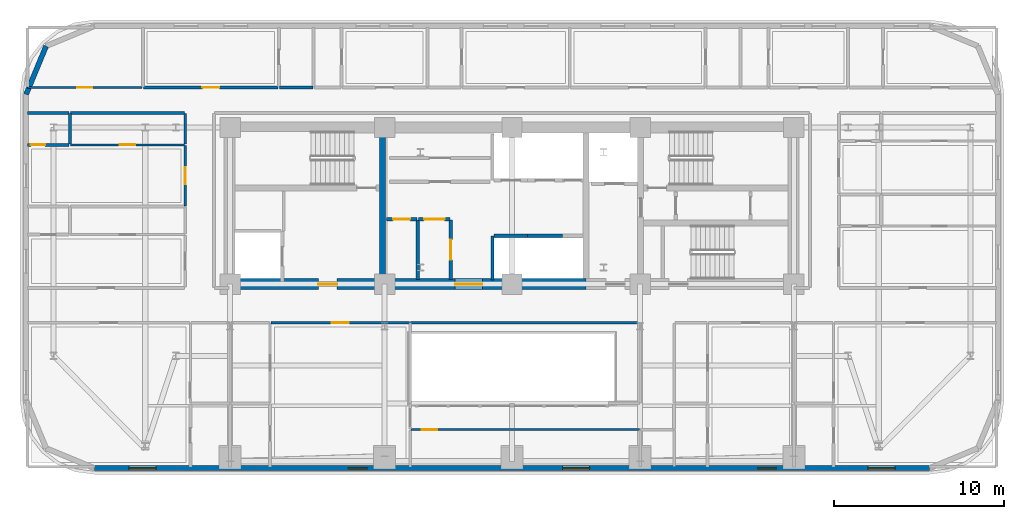
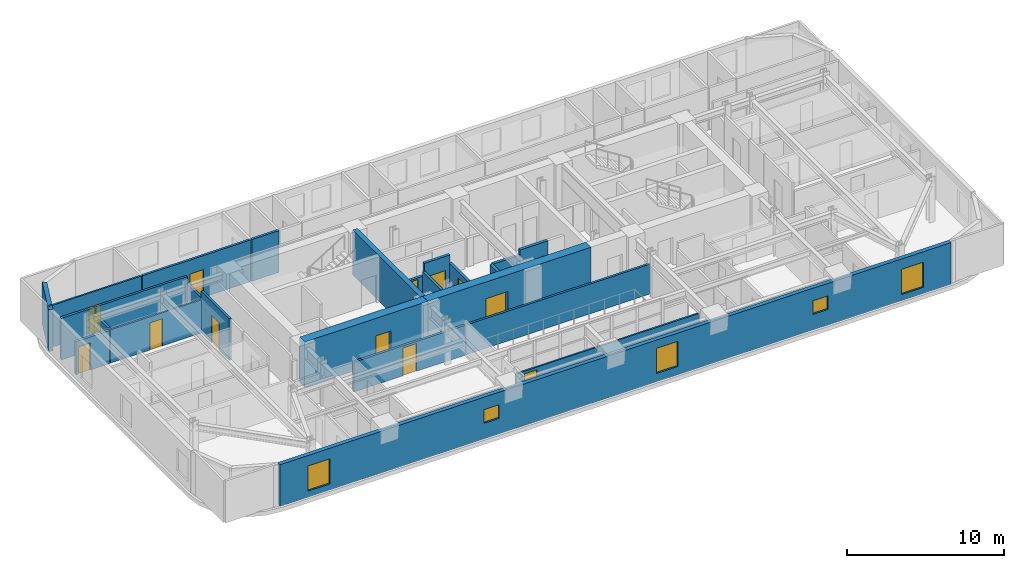
# One storey, part 9 of 16: 25 walls, 12 doors, 5 windows, 17 openings.
"""IFC4 building model written with IfcOpenShell, lengths in metres."""

from ifc_helpers import new_model, si_unit, direction, frame, frame_2d, origin, place, context, subcontext, project, spatial, rectangle, extrude, material, layer, layer_set, type_object, element, fill, save


model = new_model("IFC4")

# Units and contexts
model_context = context("Model", 3, precision=1e-05, world=origin(), true_north=direction((0.0, 1.0)))
body_context = subcontext(model_context, "Body", "Model", "MODEL_VIEW")
ifc_project = project(units=[si_unit("LENGTHUNIT", "METRE"), si_unit("AREAUNIT", "SQUARE_METRE"), si_unit("VOLUMEUNIT", "CUBIC_METRE"), si_unit("PLANEANGLEUNIT", "RADIAN"), si_unit("MASSUNIT", "GRAM", prefix="KILO")], contexts=[model_context])

# Site, building, storey
site_placement = place(None, origin())
site = spatial("IfcSite", under=ifc_project, at=site_placement, CompositionType="ELEMENT")
building_placement = place(site_placement, origin())
building = spatial("IfcBuilding", under=site, at=building_placement, Name="Zarnavel Station Tower", CompositionType="ELEMENT")
storey_placement = place(building_placement, frame((0.0, 0.0, 94.300048828125)))
storey = spatial("IfcBuildingStorey", under=building, at=storey_placement, Name="L25", CompositionType="ELEMENT", Elevation=94.300048828125)

# Wall
ifc_material_1 = material(Name="Concrete C50/60", Category="concrete")
ifc_layer_1 = layer(ifc_material_1, 0.35009765625)
ifc_layer_set_1 = layer_set([ifc_layer_1], Name="CW_350")
wall_type_1 = type_object("IfcWallType", Name="CW_350", PredefinedType="SHEAR", material=ifc_layer_set_1)
wall_1_placement = place(storey_placement, frame((21.179931640625, 28.14501953125, 0.0), z_axis=(0.0, 0.0, 1.0), x_axis=(0.0, 1.0, 0.0)))
element("IfcWall", 1, at=wall_1_placement, inside=storey, type_object=wall_type_1, Name="L25 Rear Core Shear Wall DIV-W", PredefinedType="SHEAR", context=body_context, shape_type="SweptSolid", body=[
    extrude(rectangle(XDim=8.580078125, YDim=0.35009765625, at=frame_2d((4.2900390625, 0.0))), origin(), (0.0, 0.0, 1.0), 3.5),
])

# Wall, opening, door
ifc_material_2 = material(Name="Concrete C60/75", Category="concrete")
ifc_layer_2 = layer(ifc_material_2, 0.64990234375)
ifc_layer_set_2 = layer_set([ifc_layer_2], Name="CW_650")
wall_type_2 = type_object("IfcWallType", Name="CW_650", PredefinedType="SHEAR", material=ifc_layer_set_2)
wall_2_placement = place(storey_placement, frame((21.179931640625, 27.820068359375, 0.0), z_axis=(0.0, 0.0, 1.0), x_axis=(-1.0, 0.0, 0.0)))
wall_2 = element("IfcWall", 2, at=wall_2_placement, inside=storey, type_object=wall_type_2, Name="L25 Rear Core Shear Wall S-W", PredefinedType="SHEAR", context=body_context, shape_type="SweptSolid", body=[
    extrude(rectangle(XDim=9.030029296875, YDim=0.64990234375, at=frame_2d((4.51513671875, 0.0))), origin(), (0.0, 0.0, 1.0), 3.5),
])
opening_1_placement = place(wall_2_placement, frame((2.679931640625, 0.0, 0.0)))
opening_1 = element("IfcOpeningElement", 3, at=opening_1_placement, cuts=wall_2, Name="Opening FD01", PredefinedType="OPENING", context=body_context, shape_type="SweptSolid", body=[
    extrude(rectangle(XDim=1.10009765625, YDim=2.14990234375, at=frame_2d((0.550048828125, 1.074951171875))), frame((0.0, 0.3349609375, 0.0), z_axis=(0.0, -1.0, 0.0), x_axis=(1.0, 0.0, 0.0)), (0.0, 0.0, 1.0), 0.669921875),
])
ifc_material_3 = material(Name="Painted Galvanised Steel and Hardwood Leaf", Category="steel")
door_type_1 = type_object("IfcDoorType", Name="ID_STAIR_1100", OperationType="NOTDEFINED", PredefinedType="DOOR", material=ifc_material_3)
door_1_placement = place(opening_1_placement, origin())
door_1 = element("IfcDoor", 4, at=door_1_placement, inside=storey, type_object=door_type_1, Name="L25 West Firefighting Lobby Door", OperationType="SINGLE_SWING_RIGHT", OverallHeight=2.14990234375, OverallWidth=1.10009765625, PredefinedType="DOOR", context=body_context, shape_type="SweptSolid", body=[
    extrude(rectangle(XDim=1.10009765625, YDim=2.14990234375, at=frame_2d((0.550048828125, 1.074951171875))), frame((0.0, 0.02490234375, 0.0), z_axis=(0.0, -1.0, 0.0), x_axis=(1.0, 0.0, 0.0)), (0.0, 0.0, 1.0), 0.050048828125),
])
fill(opening_1, door_1)

wall_3_placement = place(storey_placement, frame((33.14990234375, 27.820068359375, 0.0), z_axis=(0.0, 0.0, 1.0), x_axis=(-1.0, 0.0, 0.0)))
wall_3 = element("IfcWall", 5, at=wall_3_placement, inside=storey, type_object=wall_type_2, Name="L25 Rear Core Shear Wall S-M", PredefinedType="SHEAR", context=body_context, shape_type="SweptSolid", body=[
    extrude(rectangle(XDim=11.969970703125, YDim=0.64990234375, at=frame_2d((5.98486328125, 0.0))), origin(), (0.0, 0.0, 1.0), 3.5),
])
opening_2_placement = place(wall_3_placement, frame((6.10009765625, 0.0, 0.0)))
opening_2 = element("IfcOpeningElement", 6, at=opening_2_placement, cuts=wall_3, Name="Opening ID03", PredefinedType="OPENING", context=body_context, shape_type="SweptSolid", body=[
    extrude(rectangle(XDim=1.60009765625, YDim=2.199951171875, at=frame_2d((0.800048828125, 1.10009765625))), frame((0.0, 0.3349609375, 0.0), z_axis=(0.0, -1.0, 0.0), x_axis=(1.0, 0.0, 0.0)), (0.0, 0.0, 1.0), 0.669921875),
])
ifc_material_4 = material(Name="Painted Galvanised Steel and Hardwood Leaf", Category="steel")
door_type_2 = type_object("IfcDoorType", Name="ID_PUBLIC_1600", OperationType="DOUBLE_DOOR_SINGLE_SWING", PredefinedType="DOOR", material=ifc_material_4)
door_2_placement = place(opening_2_placement, origin())
door_2 = element("IfcDoor", 7, at=door_2_placement, inside=storey, type_object=door_type_2, Name="L25 Passenger Lift Lobby Double Door", OperationType="SINGLE_SWING_LEFT", OverallHeight=2.199951171875, OverallWidth=1.60009765625, PredefinedType="DOOR", context=body_context, shape_type="SweptSolid", body=[
    extrude(rectangle(XDim=1.60009765625, YDim=2.199951171875, at=frame_2d((0.800048828125, 1.10009765625))), frame((0.0, 0.02490234375, 0.0), z_axis=(0.0, -1.0, 0.0), x_axis=(1.0, 0.0, 0.0)), (0.0, 0.0, 1.0), 0.050048828125),
])
fill(opening_2, door_2)

# Wall
ifc_material_5 = material(Name="Precast concrete C45/55 (Dark Basalt Finish)", Category="masonry")
ifc_layer_3 = layer(ifc_material_5, 0.300048828125)
ifc_layer_set_3 = layer_set([ifc_layer_3], Name="EW_BASALT_300")
wall_type_3 = type_object("IfcWallType", Name="EW_BASALT_300", PredefinedType="SOLIDWALL", material=ifc_layer_set_3)
wall_4_placement = place(storey_placement, frame((0.179931640625, 39.0, 0.0), z_axis=(0.0, 0.0, 1.0), x_axis=(0.382704529509, 0.923870793506, 0.0)))
element("IfcWall", 8, at=wall_4_placement, inside=storey, type_object=wall_type_3, Name="L25 Exterior Basalt Masonry Frame Wall 08", PredefinedType="SOLIDWALL", context=body_context, shape_type="SweptSolid", body=[
    extrude(rectangle(XDim=3.07666015625, YDim=0.300048828125, at=frame_2d((1.538330078125, 0.0))), origin(), (0.0, 0.0, 1.0), 3.239990234375),
])

# Wall, openings, windows
wall_5_placement = place(storey_placement, frame((53.39990234375, 16.97998046875, 0.0), z_axis=(0.0, 0.0, 1.0), x_axis=(-1.0, 0.0, 0.0)))
wall_5 = element("IfcWall", 9, at=wall_5_placement, inside=storey, type_object=wall_type_3, Name="L25 Exterior Basalt Masonry Frame Wall 12", PredefinedType="SOLIDWALL", context=body_context, shape_type="SweptSolid", body=[
    extrude(rectangle(XDim=49.199951171875, YDim=0.300048828125, at=frame_2d((24.60009765625, 0.0))), origin(), (0.0, 0.0, 1.0), 3.239990234375),
])
opening_3_placement = place(wall_5_placement, frame((45.56494140625, 0.0, 0.47998046875)))
opening_3 = element("IfcOpeningElement", 10, at=opening_3_placement, cuts=wall_5, Name="Opening WN06", PredefinedType="OPENING", context=body_context, shape_type="SweptSolid", body=[
    extrude(rectangle(XDim=1.60009765625, YDim=1.949951171875, at=frame_2d((0.800048828125, 0.97509765625))), frame((0.0, 0.159912109375, 0.0), z_axis=(0.0, -1.0, 0.0), x_axis=(1.0, 0.0, 0.0)), (0.0, 0.0, 1.0), 0.320068359375),
])
opening_4_placement = place(wall_5_placement, frame((33.138671875, 0.0, 1.219970703125)))
opening_4 = element("IfcOpeningElement", 11, at=opening_4_placement, cuts=wall_5, Name="Opening WN09", PredefinedType="OPENING", context=body_context, shape_type="SweptSolid", body=[
    extrude(rectangle(XDim=1.10009765625, YDim=1.050048828125, at=frame_2d((0.550048828125, 0.52490234375))), frame((0.0, 0.159912109375, 0.0), z_axis=(0.0, -1.0, 0.0), x_axis=(1.0, 0.0, 0.0)), (0.0, 0.0, 1.0), 0.320068359375),
])
opening_5_placement = place(wall_5_placement, frame((20.02490234375, 0.0, 0.64990234375)))
opening_5 = element("IfcOpeningElement", 12, at=opening_5_placement, cuts=wall_5, Name="Opening WN06", PredefinedType="OPENING", context=body_context, shape_type="SweptSolid", body=[
    extrude(rectangle(XDim=1.60009765625, YDim=1.949951171875, at=frame_2d((0.800048828125, 0.97509765625))), frame((0.0, 0.159912109375, 0.0), z_axis=(0.0, -1.0, 0.0), x_axis=(1.0, 0.0, 0.0)), (0.0, 0.0, 1.0), 0.320068359375),
])
opening_6_placement = place(wall_5_placement, frame((9.038818359375, 0.0, 1.219970703125)))
opening_6 = element("IfcOpeningElement", 13, at=opening_6_placement, cuts=wall_5, Name="Opening WN09", PredefinedType="OPENING", context=body_context, shape_type="SweptSolid", body=[
    extrude(rectangle(XDim=1.10009765625, YDim=1.050048828125, at=frame_2d((0.550048828125, 0.52490234375))), frame((0.0, 0.159912109375, 0.0), z_axis=(0.0, -1.0, 0.0), x_axis=(1.0, 0.0, 0.0)), (0.0, 0.0, 1.0), 0.320068359375),
])
opening_7_placement = place(wall_5_placement, frame((2.034912109375, 0.0, 0.47998046875)))
opening_7 = element("IfcOpeningElement", 14, at=opening_7_placement, cuts=wall_5, Name="Opening WN06", PredefinedType="OPENING", context=body_context, shape_type="SweptSolid", body=[
    extrude(rectangle(XDim=1.60009765625, YDim=1.949951171875, at=frame_2d((0.800048828125, 0.97509765625))), frame((0.0, 0.159912109375, 0.0), z_axis=(0.0, -1.0, 0.0), x_axis=(1.0, 0.0, 0.0)), (0.0, 0.0, 1.0), 0.320068359375),
])
ifc_material_6 = material(Name="Thermally Broken Black Aluminium and Low-E Dark Glass", Category="aluminium")
window_type_1 = type_object("IfcWindowType", Name="WN_1100x1050", PartitioningType="SINGLE_PANEL", PredefinedType="WINDOW", material=ifc_material_6)
window_1_placement = place(opening_4_placement, origin())
window_1 = element("IfcWindow", 15, at=window_1_placement, inside=storey, type_object=window_type_1, Name="L25 Recessed Facade Window 02", OverallHeight=1.050048828125, OverallWidth=1.10009765625, PartitioningType="SINGLE_PANEL", PredefinedType="WINDOW", context=body_context, shape_type="SweptSolid", body=[
    extrude(rectangle(XDim=1.10009765625, YDim=1.050048828125, at=frame_2d((0.550048828125, 0.52490234375))), frame((0.0, 0.030029296875, 0.0), z_axis=(0.0, -1.0, 0.0), x_axis=(1.0, 0.0, 0.0)), (0.0, 0.0, 1.0), 0.06005859375),
])
fill(opening_4, window_1)
window_2_placement = place(opening_6_placement, origin())
window_2 = element("IfcWindow", 16, at=window_2_placement, inside=storey, type_object=window_type_1, Name="L25 Recessed Facade Window 04", OverallHeight=1.050048828125, OverallWidth=1.10009765625, PartitioningType="SINGLE_PANEL", PredefinedType="WINDOW", context=body_context, shape_type="SweptSolid", body=[
    extrude(rectangle(XDim=1.10009765625, YDim=1.050048828125, at=frame_2d((0.550048828125, 0.52490234375))), frame((0.0, 0.030029296875, 0.0), z_axis=(0.0, -1.0, 0.0), x_axis=(1.0, 0.0, 0.0)), (0.0, 0.0, 1.0), 0.06005859375),
])
fill(opening_6, window_2)
ifc_material_7 = material(Name="Thermally Broken Black Aluminium and Low-E Dark Glass", Category="aluminium")
window_type_2 = type_object("IfcWindowType", Name="WN_1600x1950", PartitioningType="DOUBLE_PANEL_VERTICAL", PredefinedType="WINDOW", material=ifc_material_7)
window_3_placement = place(opening_3_placement, origin())
window_3 = element("IfcWindow", 17, at=window_3_placement, inside=storey, type_object=window_type_2, Name="L25 Recessed Facade Window 01", OverallHeight=1.949951171875, OverallWidth=1.60009765625, PartitioningType="SINGLE_PANEL", PredefinedType="WINDOW", context=body_context, shape_type="SweptSolid", body=[
    extrude(rectangle(XDim=1.60009765625, YDim=1.949951171875, at=frame_2d((0.800048828125, 0.97509765625))), frame((0.0, 0.030029296875, 0.0), z_axis=(0.0, -1.0, 0.0), x_axis=(1.0, 0.0, 0.0)), (0.0, 0.0, 1.0), 0.06005859375),
])
fill(opening_3, window_3)
window_4_placement = place(opening_5_placement, origin())
window_4 = element("IfcWindow", 18, at=window_4_placement, inside=storey, type_object=window_type_2, Name="L25 Recessed Facade Window 03", OverallHeight=1.949951171875, OverallWidth=1.60009765625, PartitioningType="SINGLE_PANEL", PredefinedType="WINDOW", context=body_context, shape_type="SweptSolid", body=[
    extrude(rectangle(XDim=1.60009765625, YDim=1.949951171875, at=frame_2d((0.800048828125, 0.97509765625))), frame((0.0, 0.030029296875, 0.0), z_axis=(0.0, -1.0, 0.0), x_axis=(1.0, 0.0, 0.0)), (0.0, 0.0, 1.0), 0.06005859375),
])
fill(opening_5, window_4)
window_5_placement = place(opening_7_placement, origin())
window_5 = element("IfcWindow", 19, at=window_5_placement, inside=storey, type_object=window_type_2, Name="L25 Recessed Facade Window 05", OverallHeight=1.949951171875, OverallWidth=1.60009765625, PartitioningType="SINGLE_PANEL", PredefinedType="WINDOW", context=body_context, shape_type="SweptSolid", body=[
    extrude(rectangle(XDim=1.60009765625, YDim=1.949951171875, at=frame_2d((0.800048828125, 0.97509765625))), frame((0.0, 0.030029296875, 0.0), z_axis=(0.0, -1.0, 0.0), x_axis=(1.0, 0.0, 0.0)), (0.0, 0.0, 1.0), 0.06005859375),
])
fill(opening_7, window_5)

# Wall, opening, door
ifc_material_8 = material(Name="Gypsum Twin-Stud Acoustic Fire Partition", Category="concrete")
ifc_layer_4 = layer(ifc_material_8, 0.159912109375)
ifc_layer_set_4 = layer_set([ifc_layer_4], Name="PT_DEMISE_160")
wall_type_4 = type_object("IfcWallType", Name="PT_DEMISE_160", PredefinedType="PARTITIONING", material=ifc_layer_set_4)
wall_6_placement = place(storey_placement, frame((14.590087890625, 25.550048828125, 0.0), z_axis=(0.0, 0.0, 1.0), x_axis=(1.0, 0.0, 0.0)))
wall_6 = element("IfcWall", 20, at=wall_6_placement, inside=storey, type_object=wall_type_4, Name="L25 Partition COR-S-HW2R", PredefinedType="PARTITIONING", context=body_context, shape_type="SweptSolid", body=[
    extrude(rectangle(XDim=8.169921875, YDim=0.159912109375, at=frame_2d((4.0849609375, 0.0))), origin(), (0.0, 0.0, 1.0), 2.31005859375),
])
opening_8_placement = place(wall_6_placement, frame((3.5849609375, 0.0, 0.0)))
opening_8 = element("IfcOpeningElement", 21, at=opening_8_placement, cuts=wall_6, Name="Opening FD02", PredefinedType="OPENING", context=body_context, shape_type="SweptSolid", body=[
    extrude(rectangle(XDim=1.0, YDim=2.14990234375, at=frame_2d((0.5, 1.074951171875))), frame((0.0, 0.08984375, 0.0), z_axis=(0.0, -1.0, 0.0), x_axis=(1.0, 0.0, 0.0)), (0.0, 0.0, 1.0), 0.179931640625),
])
ifc_material_9 = material(Name="Painted Galvanised Steel and Hardwood Leaf", Category="steel")
door_type_3 = type_object("IfcDoorType", Name="ID_ENTRY_1000", OperationType="NOTDEFINED", PredefinedType="DOOR", material=ifc_material_9)
door_3_placement = place(opening_8_placement, origin())
door_3 = element("IfcDoor", 22, at=door_3_placement, inside=storey, type_object=door_type_3, Name="L25 Door COR-S-HW2R", OperationType="SINGLE_SWING_RIGHT", OverallHeight=2.14990234375, OverallWidth=1.0, PredefinedType="DOOR", context=body_context, shape_type="SweptSolid", body=[
    extrude(rectangle(XDim=1.0, YDim=2.14990234375, at=frame_2d((0.5, 1.074951171875))), frame((0.0, 0.02490234375, 0.0), z_axis=(0.0, -1.0, 0.0), x_axis=(1.0, 0.0, 0.0)), (0.0, 0.0, 1.0), 0.050048828125),
])
fill(opening_8, door_3)

wall_7_placement = place(storey_placement, frame((9.550048828125, 32.430908203125, 0.0), z_axis=(0.0, 0.0, 1.0), x_axis=(0.0, 1.0, 0.0)))
wall_7 = element("IfcWall", 23, at=wall_7_placement, inside=storey, type_object=wall_type_4, Name="L25 Partition COR-W-FNW2R", PredefinedType="PARTITIONING", context=body_context, shape_type="SweptSolid", body=[
    extrude(rectangle(XDim=3.55615234375, YDim=0.159912109375, at=frame_2d((1.778076171875, 0.0))), origin(), (0.0, 0.0, 1.0), 3.239990234375),
])
opening_9_placement = place(wall_7_placement, frame((1.278076171875, 0.0, 0.0)))
opening_9 = element("IfcOpeningElement", 24, at=opening_9_placement, cuts=wall_7, Name="Opening FD02", PredefinedType="OPENING", context=body_context, shape_type="SweptSolid", body=[
    extrude(rectangle(XDim=1.0, YDim=2.14990234375, at=frame_2d((0.5, 1.074951171875))), frame((0.0, 0.08984375, 0.0), z_axis=(0.0, -1.0, 0.0), x_axis=(1.0, 0.0, 0.0)), (0.0, 0.0, 1.0), 0.179931640625),
])
door_4_placement = place(opening_9_placement, origin())
door_4 = element("IfcDoor", 25, at=door_4_placement, inside=storey, type_object=door_type_3, Name="L25 Door COR-W-FNW2R", OperationType="SINGLE_SWING_RIGHT", OverallHeight=2.14990234375, OverallWidth=1.0, PredefinedType="DOOR", context=body_context, shape_type="SweptSolid", body=[
    extrude(rectangle(XDim=1.0, YDim=2.14990234375, at=frame_2d((0.5, 1.074951171875))), frame((0.0, 0.02490234375, 0.0), z_axis=(0.0, -1.0, 0.0), x_axis=(1.0, 0.0, 0.0)), (0.0, 0.0, 1.0), 0.050048828125),
])
fill(opening_9, door_4)

# Walls
wall_8_placement = place(storey_placement, frame((9.550048828125, 36.06689453125, 0.0), z_axis=(0.0, 0.0, 1.0), x_axis=(0.0, 1.0, 0.0)))
element("IfcWall", 26, at=wall_8_placement, inside=storey, type_object=wall_type_4, Name="L25 Partition COR-W-FNW2S", PredefinedType="PARTITIONING", context=body_context, shape_type="SweptSolid", body=[
    extrude(rectangle(XDim=1.793212890625, YDim=0.159912109375, at=frame_2d((0.896484375, 0.0))), origin(), (0.0, 0.0, 1.0), 2.719970703125),
])
wall_9_placement = place(storey_placement, frame((2.800048828125, 37.89990234375, 0.0), z_axis=(0.0, 0.0, 1.0), x_axis=(1.0, 0.0, 0.0)))
element("IfcWall", 27, at=wall_9_placement, inside=storey, type_object=wall_type_4, Name="L25 Partition COR-N-FNW2S", PredefinedType="PARTITIONING", context=body_context, shape_type="SweptSolid", body=[
    extrude(rectangle(XDim=6.7099609375, YDim=0.159912109375, at=frame_2d((3.35498046875, 0.0))), origin(), (0.0, 0.0, 1.0), 3.239990234375),
])

# Wall, opening, door
wall_10_placement = place(storey_placement, frame((7.10009765625, 39.39990234375, 0.0), z_axis=(0.0, 0.0, 1.0), x_axis=(1.0, 0.0, 0.0)))
wall_10 = element("IfcWall", 28, at=wall_10_placement, inside=storey, type_object=wall_type_4, Name="L25 Partition COR-N-HN1R", PredefinedType="PARTITIONING", context=body_context, shape_type="SweptSolid", body=[
    extrude(rectangle(XDim=7.92578125, YDim=0.159912109375, at=frame_2d((3.962890625, 0.0))), origin(), (0.0, 0.0, 1.0), 3.239990234375),
])
opening_10_placement = place(wall_10_placement, frame((3.462890625, 0.0, 0.0)))
opening_10 = element("IfcOpeningElement", 29, at=opening_10_placement, cuts=wall_10, Name="Opening FD02", PredefinedType="OPENING", context=body_context, shape_type="SweptSolid", body=[
    extrude(rectangle(XDim=1.0, YDim=2.14990234375, at=frame_2d((0.5, 1.074951171875))), frame((0.0, 0.08984375, 0.0), z_axis=(0.0, -1.0, 0.0), x_axis=(1.0, 0.0, 0.0)), (0.0, 0.0, 1.0), 0.179931640625),
])
door_5_placement = place(opening_10_placement, origin())
door_5 = element("IfcDoor", 30, at=door_5_placement, inside=storey, type_object=door_type_3, Name="L25 Door COR-N-HN1R", OperationType="SINGLE_SWING_RIGHT", OverallHeight=2.14990234375, OverallWidth=1.0, PredefinedType="DOOR", context=body_context, shape_type="SweptSolid", body=[
    extrude(rectangle(XDim=1.0, YDim=2.14990234375, at=frame_2d((0.5, 1.074951171875))), frame((0.0, 0.02490234375, 0.0), z_axis=(0.0, -1.0, 0.0), x_axis=(1.0, 0.0, 0.0)), (0.0, 0.0, 1.0), 0.050048828125),
])
fill(opening_10, door_5)

# Wall
wall_11_placement = place(storey_placement, frame((22.830078125, 25.550048828125, 0.0), z_axis=(0.0, 0.0, 1.0), x_axis=(1.0, 0.0, 0.0)))
element("IfcWall", 31, at=wall_11_placement, inside=storey, type_object=wall_type_4, Name="L25 Enclosure Wall COR-S", PredefinedType="PARTITIONING", context=body_context, shape_type="SweptSolid", body=[
    extrude(rectangle(XDim=13.489990234375, YDim=0.159912109375, at=frame_2d((6.7451171875, 0.0))), origin(), (0.0, 0.0, 1.0), 2.31005859375),
])

# Wall, opening, door
ifc_material_10 = material(Name="Gypsum Metal-Stud Interior Partition", Category="concrete")
ifc_layer_5 = layer(ifc_material_10, 0.1201171875)
ifc_layer_set_5 = layer_set([ifc_layer_5], Name="PT_ROOM_120")
wall_type_5 = type_object("IfcWallType", Name="PT_ROOM_120", PredefinedType="PARTITIONING", material=ifc_layer_set_5)
wall_12_placement = place(storey_placement, frame((0.260009765625, 39.39990234375, 0.0), z_axis=(0.0, 0.0, 1.0), x_axis=(1.0, 0.0, 0.0)))
wall_12 = element("IfcWall", 32, at=wall_12_placement, inside=storey, type_object=wall_type_5, Name="L25 Partition COR-N-HSKP", PredefinedType="PARTITIONING", context=body_context, shape_type="SweptSolid", body=[
    extrude(rectangle(XDim=6.760009765625, YDim=0.1201171875, at=frame_2d((3.3798828125, 0.0))), origin(), (0.0, 0.0, 1.0), 3.239990234375),
])
opening_11_placement = place(wall_12_placement, frame((2.929931640625, 0.0, 0.0)))
opening_11 = element("IfcOpeningElement", 33, at=opening_11_placement, cuts=wall_12, Name="Opening ID01", PredefinedType="OPENING", context=body_context, shape_type="SweptSolid", body=[
    extrude(rectangle(XDim=0.89990234375, YDim=2.10009765625, at=frame_2d((0.449951171875, 1.050048828125))), frame((0.0, 0.070068359375, 0.0), z_axis=(0.0, -1.0, 0.0), x_axis=(1.0, 0.0, 0.0)), (0.0, 0.0, 1.0), 0.14013671875),
])
ifc_material_11 = material(Name="Painted Galvanised Steel and Hardwood Leaf", Category="steel")
door_type_4 = type_object("IfcDoorType", Name="ID_ROOM_900", OperationType="NOTDEFINED", PredefinedType="DOOR", material=ifc_material_11)
door_6_placement = place(opening_11_placement, origin())
door_6 = element("IfcDoor", 34, at=door_6_placement, inside=storey, type_object=door_type_4, Name="L25 Door COR-N-HSKP", OperationType="SINGLE_SWING_LEFT", OverallHeight=2.10009765625, OverallWidth=0.89990234375, PredefinedType="DOOR", context=body_context, shape_type="SweptSolid", body=[
    extrude(rectangle(XDim=0.89990234375, YDim=2.10009765625, at=frame_2d((0.449951171875, 1.050048828125))), frame((0.0, 0.02490234375, 0.0), z_axis=(0.0, -1.0, 0.0), x_axis=(1.0, 0.0, 0.0)), (0.0, 0.0, 1.0), 0.050048828125),
])
fill(opening_11, door_6)

wall_13_placement = place(storey_placement, frame((22.840087890625, 19.25, 0.0), z_axis=(0.0, 0.0, 1.0), x_axis=(1.0, 0.0, 0.0)))
wall_13 = element("IfcWall", 35, at=wall_13_placement, inside=storey, type_object=wall_type_5, Name="L25 Partition COR-AS-L25SAL", PredefinedType="PARTITIONING", context=body_context, shape_type="SweptSolid", body=[
    extrude(rectangle(XDim=13.469970703125, YDim=0.1201171875, at=frame_2d((6.73486328125, 0.0))), origin(), (0.0, 0.0, 1.0), 2.31005859375),
])
opening_12_placement = place(wall_13_placement, frame((0.652099609375, 0.0, 0.0)))
opening_12 = element("IfcOpeningElement", 36, at=opening_12_placement, cuts=wall_13, Name="Opening ID01", PredefinedType="OPENING", context=body_context, shape_type="SweptSolid", body=[
    extrude(rectangle(XDim=0.89990234375, YDim=2.10009765625, at=frame_2d((0.449951171875, 1.050048828125))), frame((0.0, 0.070068359375, 0.0), z_axis=(0.0, -1.0, 0.0), x_axis=(1.0, 0.0, 0.0)), (0.0, 0.0, 1.0), 0.14013671875),
])
door_7_placement = place(opening_12_placement, origin())
door_7 = element("IfcDoor", 37, at=door_7_placement, inside=storey, type_object=door_type_4, Name="L25 Door COR-AS-L25SAL", OperationType="SINGLE_SWING_LEFT", OverallHeight=2.10009765625, OverallWidth=0.89990234375, PredefinedType="DOOR", context=body_context, shape_type="SweptSolid", body=[
    extrude(rectangle(XDim=0.89990234375, YDim=2.10009765625, at=frame_2d((0.449951171875, 1.050048828125))), frame((0.0, 0.02490234375, 0.0), z_axis=(0.0, -1.0, 0.0), x_axis=(1.0, 0.0, 0.0)), (0.0, 0.0, 1.0), 0.050048828125),
])
fill(opening_12, door_7)

wall_14_placement = place(storey_placement, frame((2.800048828125, 36.027099609375, 0.0), z_axis=(0.0, 0.0, 1.0), x_axis=(1.0, 0.0, 0.0)))
wall_14 = element("IfcWall", 38, at=wall_14_placement, inside=storey, type_object=wall_type_5, Name="L25 Partition FNW2R-FNW2S", PredefinedType="PARTITIONING", context=body_context, shape_type="SweptSolid", body=[
    extrude(rectangle(XDim=6.7099609375, YDim=0.1201171875, at=frame_2d((3.35498046875, 0.0))), origin(), (0.0, 0.0, 1.0), 2.570068359375),
])
opening_13_placement = place(wall_14_placement, frame((2.905029296875, 0.0, 0.0)))
opening_13 = element("IfcOpeningElement", 39, at=opening_13_placement, cuts=wall_14, Name="Opening ID01", PredefinedType="OPENING", context=body_context, shape_type="SweptSolid", body=[
    extrude(rectangle(XDim=0.89990234375, YDim=2.10009765625, at=frame_2d((0.449951171875, 1.050048828125))), frame((0.0, 0.070068359375, 0.0), z_axis=(0.0, -1.0, 0.0), x_axis=(1.0, 0.0, 0.0)), (0.0, 0.0, 1.0), 0.14013671875),
])
door_8_placement = place(opening_13_placement, origin())
door_8 = element("IfcDoor", 40, at=door_8_placement, inside=storey, type_object=door_type_4, Name="L25 Door FNW2R-FNW2S", OperationType="SINGLE_SWING_LEFT", OverallHeight=2.10009765625, OverallWidth=0.89990234375, PredefinedType="DOOR", context=body_context, shape_type="SweptSolid", body=[
    extrude(rectangle(XDim=0.89990234375, YDim=2.10009765625, at=frame_2d((0.449951171875, 1.050048828125))), frame((0.0, 0.02490234375, 0.0), z_axis=(0.0, -1.0, 0.0), x_axis=(1.0, 0.0, 0.0)), (0.0, 0.0, 1.0), 0.050048828125),
])
fill(opening_13, door_8)

# Walls
ifc_material_12 = material(Name="Precast concrete C45/55 (Fire Shaft Blockwork)", Category="masonry")
ifc_layer_6 = layer(ifc_material_12, 0.199951171875)
ifc_layer_set_6 = layer_set([ifc_layer_6], Name="PT_SHAFT_200")
wall_type_6 = type_object("IfcWallType", Name="PT_SHAFT_200", PredefinedType="PARTITIONING", material=ifc_layer_set_6)
wall_15_placement = place(storey_placement, frame((27.75, 30.669921875, 0.0), z_axis=(0.0, 0.0, 1.0), x_axis=(1.0, 0.0, 0.0)))
element("IfcWall", 41, at=wall_15_placement, inside=storey, type_object=wall_type_6, Name="L25 Lift PL-H1 Shaft Front Wall", PredefinedType="PARTITIONING", context=body_context, shape_type="SweptSolid", body=[
    extrude(rectangle(XDim=1.97509765625, YDim=0.199951171875, at=frame_2d((0.987548828125, 0.0))), origin(), (0.0, 0.0, 1.0), 2.2119140625),
])
wall_16_placement = place(storey_placement, frame((27.64990234375, 28.070068359375, 0.0), z_axis=(0.0, 0.0, 1.0), x_axis=(0.0, 1.0, 0.0)))
element("IfcWall", 42, at=wall_16_placement, inside=storey, type_object=wall_type_6, Name="L25 High-Rise Lift Bank West Shaft Wall", PredefinedType="PARTITIONING", context=body_context, shape_type="SweptSolid", body=[
    extrude(rectangle(XDim=2.579833984375, YDim=0.199951171875, at=frame_2d((1.2900390625, 0.0))), origin(), (0.0, 0.0, 1.0), 2.2119140625),
])
wall_17_placement = place(storey_placement, frame((29.72509765625, 30.669921875, 0.0), z_axis=(0.0, 0.0, 1.0), x_axis=(1.0, 0.0, 0.0)))
element("IfcWall", 43, at=wall_17_placement, inside=storey, type_object=wall_type_6, Name="L25 Lift PL-H2 Shaft Front Wall", PredefinedType="PARTITIONING", context=body_context, shape_type="SweptSolid", body=[
    extrude(rectangle(XDim=2.0498046875, YDim=0.199951171875, at=frame_2d((1.02490234375, 0.0))), origin(), (0.0, 0.0, 1.0), 2.619873046875),
])

# Wall, opening, door
wall_18_placement = place(storey_placement, frame((21.39990234375, 31.64990234375, 0.0), z_axis=(0.0, 0.0, 1.0), x_axis=(1.0, 0.0, 0.0)))
wall_18 = element("IfcWall", 44, at=wall_18_placement, inside=storey, type_object=wall_type_6, Name="L25 Partition LLOB-CS1", PredefinedType="PARTITIONING", context=body_context, shape_type="SweptSolid", body=[
    extrude(rectangle(XDim=1.81005859375, YDim=0.199951171875, at=frame_2d((0.905029296875, 0.0))), origin(), (0.0, 0.0, 1.0), 2.280029296875),
])
opening_14_placement = place(wall_18_placement, frame((0.405029296875, 0.0, 0.0)))
opening_14 = element("IfcOpeningElement", 45, at=opening_14_placement, cuts=wall_18, Name="Opening FD02", PredefinedType="OPENING", context=body_context, shape_type="SweptSolid", body=[
    extrude(rectangle(XDim=1.0, YDim=2.14990234375, at=frame_2d((0.5, 1.074951171875))), frame((0.0, 0.10986328125, 0.0), z_axis=(0.0, -1.0, 0.0), x_axis=(1.0, 0.0, 0.0)), (0.0, 0.0, 1.0), 0.219970703125),
])
door_9_placement = place(opening_14_placement, origin())
door_9 = element("IfcDoor", 46, at=door_9_placement, inside=storey, type_object=door_type_3, Name="L25 Door LLOB-CS1", OperationType="SINGLE_SWING_RIGHT", OverallHeight=2.14990234375, OverallWidth=1.0, PredefinedType="DOOR", context=body_context, shape_type="SweptSolid", body=[
    extrude(rectangle(XDim=1.0, YDim=2.14990234375, at=frame_2d((0.5, 1.074951171875))), frame((0.0, 0.02490234375, 0.0), z_axis=(0.0, -1.0, 0.0), x_axis=(1.0, 0.0, 0.0)), (0.0, 0.0, 1.0), 0.050048828125),
])
fill(opening_14, door_9)

wall_19_placement = place(storey_placement, frame((23.2900390625, 31.64990234375, 0.0), z_axis=(0.0, 0.0, 1.0), x_axis=(1.0, 0.0, 0.0)))
wall_19 = element("IfcWall", 47, at=wall_19_placement, inside=storey, type_object=wall_type_6, Name="L25 Partition LLOB-CS2", PredefinedType="PARTITIONING", context=body_context, shape_type="SweptSolid", body=[
    extrude(rectangle(XDim=1.869873046875, YDim=0.199951171875, at=frame_2d((0.93505859375, 0.0))), origin(), (0.0, 0.0, 1.0), 3.239990234375),
])
opening_15_placement = place(wall_19_placement, frame((0.3349609375, 0.0, 0.0)))
opening_15 = element("IfcOpeningElement", 48, at=opening_15_placement, cuts=wall_19, Name="Opening FD03", PredefinedType="OPENING", context=body_context, shape_type="SweptSolid", body=[
    extrude(rectangle(XDim=1.199951171875, YDim=2.14990234375, at=frame_2d((0.60009765625, 1.074951171875))), frame((0.0, 0.10986328125, 0.0), z_axis=(0.0, -1.0, 0.0), x_axis=(1.0, 0.0, 0.0)), (0.0, 0.0, 1.0), 0.219970703125),
])
ifc_material_13 = material(Name="Painted Galvanised Steel and Hardwood Leaf", Category="steel")
door_type_5 = type_object("IfcDoorType", Name="ID_PLANT_1200", OperationType="NOTDEFINED", PredefinedType="DOOR", material=ifc_material_13)
door_10_placement = place(opening_15_placement, origin())
door_10 = element("IfcDoor", 49, at=door_10_placement, inside=storey, type_object=door_type_5, Name="L25 Door LLOB-CS2", OperationType="SINGLE_SWING_LEFT", OverallHeight=2.14990234375, OverallWidth=1.199951171875, PredefinedType="DOOR", context=body_context, shape_type="SweptSolid", body=[
    extrude(rectangle(XDim=1.199951171875, YDim=2.14990234375, at=frame_2d((0.60009765625, 1.074951171875))), frame((0.0, 0.02490234375, 0.0), z_axis=(0.0, -1.0, 0.0), x_axis=(1.0, 0.0, 0.0)), (0.0, 0.0, 1.0), 0.050048828125),
])
fill(opening_15, door_10)

wall_20_placement = place(storey_placement, frame((25.199951171875, 28.090087890625, 0.0), z_axis=(0.0, 0.0, 1.0), x_axis=(0.0, 1.0, 0.0)))
wall_20 = element("IfcWall", 50, at=wall_20_placement, inside=storey, type_object=wall_type_6, Name="L25 Partition LLOBS-CS2", PredefinedType="PARTITIONING", context=body_context, shape_type="SweptSolid", body=[
    extrude(rectangle(XDim=3.52001953125, YDim=0.199951171875, at=frame_2d((1.760009765625, 0.0))), origin(), (0.0, 0.0, 1.0), 2.619873046875),
])
opening_16_placement = place(wall_20_placement, frame((1.159912109375, 0.0, 0.0)))
opening_16 = element("IfcOpeningElement", 51, at=opening_16_placement, cuts=wall_20, Name="Opening FD03", PredefinedType="OPENING", context=body_context, shape_type="SweptSolid", body=[
    extrude(rectangle(XDim=1.199951171875, YDim=2.14990234375, at=frame_2d((0.60009765625, 1.074951171875))), frame((0.0, 0.10986328125, 0.0), z_axis=(0.0, -1.0, 0.0), x_axis=(1.0, 0.0, 0.0)), (0.0, 0.0, 1.0), 0.219970703125),
])
door_11_placement = place(opening_16_placement, origin())
door_11 = element("IfcDoor", 52, at=door_11_placement, inside=storey, type_object=door_type_5, Name="L25 Door LLOBS-CS2", OperationType="SINGLE_SWING_LEFT", OverallHeight=2.14990234375, OverallWidth=1.199951171875, PredefinedType="DOOR", context=body_context, shape_type="SweptSolid", body=[
    extrude(rectangle(XDim=1.199951171875, YDim=2.14990234375, at=frame_2d((0.60009765625, 1.074951171875))), frame((0.0, 0.02490234375, 0.0), z_axis=(0.0, -1.0, 0.0), x_axis=(1.0, 0.0, 0.0)), (0.0, 0.0, 1.0), 0.050048828125),
])
fill(opening_16, door_11)

# Walls
wall_21_placement = place(storey_placement, frame((23.25, 28.090087890625, 0.0), z_axis=(0.0, 0.0, 1.0), x_axis=(0.0, 1.0, 0.0)))
element("IfcWall", 53, at=wall_21_placement, inside=storey, type_object=wall_type_6, Name="L25 Partition CS1-CS2", PredefinedType="PARTITIONING", context=body_context, shape_type="SweptSolid", body=[
    extrude(rectangle(XDim=3.52001953125, YDim=0.199951171875, at=frame_2d((1.760009765625, 0.0))), origin(), (0.0, 0.0, 1.0), 2.619873046875),
])
ifc_material_14 = material(Name="Moisture-Resistant Plumbing Chase Wall", Category="concrete")
ifc_layer_7 = layer(ifc_material_14, 0.179931640625)
ifc_layer_set_7 = layer_set([ifc_layer_7], Name="PW_PLUMB_180")
wall_type_7 = type_object("IfcWallType", Name="PW_PLUMB_180", PredefinedType="PLUMBINGWALL", material=ifc_layer_set_7)
wall_22_placement = place(storey_placement, frame((0.260009765625, 37.89990234375, 0.0), z_axis=(0.0, 0.0, 1.0), x_axis=(1.0, 0.0, 0.0)))
element("IfcWall", 54, at=wall_22_placement, inside=storey, type_object=wall_type_7, Name="L25 Partition COR-N-FNW2B", PredefinedType="PLUMBINGWALL", context=body_context, shape_type="SweptSolid", body=[
    extrude(rectangle(XDim=2.4599609375, YDim=0.179931640625, at=frame_2d((1.22998046875, 0.0))), origin(), (0.0, 0.0, 1.0), 3.239990234375),
])
wall_23_placement = place(storey_placement, frame((15.10595703125, 39.39990234375, 0.0), z_axis=(0.0, 0.0, 1.0), x_axis=(1.0, 0.0, 0.0)))
element("IfcWall", 55, at=wall_23_placement, inside=storey, type_object=wall_type_7, Name="L25 Partition COR-N-HN1B", PredefinedType="PLUMBINGWALL", context=body_context, shape_type="SweptSolid", body=[
    extrude(rectangle(XDim=1.969970703125, YDim=0.179931640625, at=frame_2d((0.98486328125, 0.0))), origin(), (0.0, 0.0, 1.0), 3.239990234375),
])

# Wall, opening, door
wall_24_placement = place(storey_placement, frame((2.719970703125, 36.027099609375, 0.0), z_axis=(0.0, 0.0, 1.0), x_axis=(-1.0, 0.0, 0.0)))
wall_24 = element("IfcWall", 56, at=wall_24_placement, inside=storey, type_object=wall_type_7, Name="L25 Partition FNW2R-FNW2B", PredefinedType="PLUMBINGWALL", context=body_context, shape_type="SweptSolid", body=[
    extrude(rectangle(XDim=2.4599609375, YDim=0.179931640625, at=frame_2d((1.22998046875, 0.0))), origin(), (0.0, 0.0, 1.0), 2.570068359375),
])
opening_17_placement = place(wall_24_placement, frame((1.41455078125, 0.0, 0.0)))
opening_17 = element("IfcOpeningElement", 57, at=opening_17_placement, cuts=wall_24, Name="Opening ID02", PredefinedType="OPENING", context=body_context, shape_type="SweptSolid", body=[
    extrude(rectangle(XDim=0.85009765625, YDim=2.10009765625, at=frame_2d((0.425048828125, 1.050048828125))), frame((0.0, 0.099853515625, 0.0), z_axis=(0.0, -1.0, 0.0), x_axis=(1.0, 0.0, 0.0)), (0.0, 0.0, 1.0), 0.199951171875),
])
ifc_material_15 = material(Name="Painted Galvanised Steel and Hardwood Leaf", Category="steel")
door_type_6 = type_object("IfcDoorType", Name="ID_BATH_850", OperationType="NOTDEFINED", PredefinedType="DOOR", material=ifc_material_15)
door_12_placement = place(opening_17_placement, origin())
door_12 = element("IfcDoor", 58, at=door_12_placement, inside=storey, type_object=door_type_6, Name="L25 Door FNW2R-FNW2B", OperationType="SINGLE_SWING_RIGHT", OverallHeight=2.10009765625, OverallWidth=0.85009765625, PredefinedType="DOOR", context=body_context, shape_type="SweptSolid", body=[
    extrude(rectangle(XDim=0.85009765625, YDim=2.10009765625, at=frame_2d((0.425048828125, 1.050048828125))), frame((0.0, 0.02490234375, 0.0), z_axis=(0.0, -1.0, 0.0), x_axis=(1.0, 0.0, 0.0)), (0.0, 0.0, 1.0), 0.050048828125),
])
fill(opening_17, door_12)

# Wall
wall_25_placement = place(storey_placement, frame((2.760009765625, 36.06689453125, 0.0), z_axis=(0.0, 0.0, 1.0), x_axis=(0.0, 1.0, 0.0)))
element("IfcWall", 59, at=wall_25_placement, inside=storey, type_object=wall_type_7, Name="L25 Partition FNW2B-FNW2S", PredefinedType="PLUMBINGWALL", context=body_context, shape_type="SweptSolid", body=[
    extrude(rectangle(XDim=1.793212890625, YDim=0.179931640625, at=frame_2d((0.896484375, 0.0))), origin(), (0.0, 0.0, 1.0), 2.719970703125),
])

save(model, "model.ifc")
